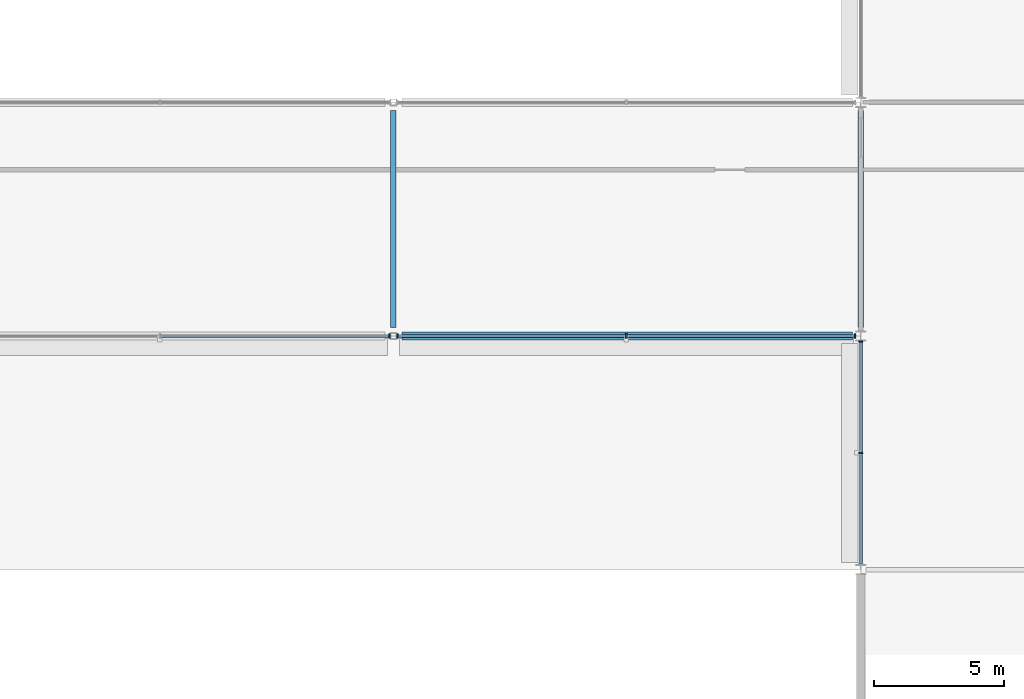
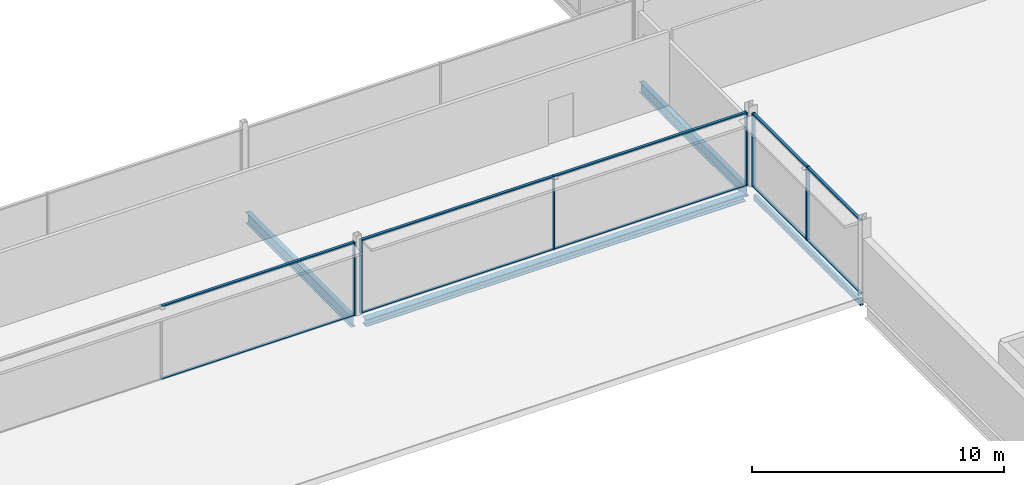
# One storey, part 51 of 105: 16 members, 4 beams, 3 elements without a shape of their own.
"""IFC4 building model written with IfcOpenShell, lengths in metres."""

from ifc_helpers import new_model, si_unit, direction, frame, origin, origin_2d, place, context, subcontext, project, spatial, rectangle, hollow_rectangle, i_section, extrude, material, layer, layer_set, material_profile, profile_set, type_object, element, aggregate, save


model = new_model("IFC4")

# Units and contexts
model_context = context("Model", 3, precision=1e-05, world=origin(), true_north=direction((0.0, 1.0)))
body_context = subcontext(model_context, "Body", "Model", "MODEL_VIEW")
ifc_project = project(units=[si_unit("LENGTHUNIT", "METRE"), si_unit("AREAUNIT", "SQUARE_METRE"), si_unit("VOLUMEUNIT", "CUBIC_METRE"), si_unit("PLANEANGLEUNIT", "RADIAN"), si_unit("MASSUNIT", "GRAM", prefix="KILO")], contexts=[model_context])

# Site, building, storey
site_placement = place(None, origin())
site = spatial("IfcSite", under=ifc_project, at=site_placement, CompositionType="ELEMENT")
building_placement = place(site_placement, origin())
building = spatial("IfcBuilding", under=site, at=building_placement, Name="Kisiwana Market Hall", CompositionType="ELEMENT")
storey_placement = place(building_placement, frame((0.0, 0.0, 21.60009765625)))
storey = spatial("IfcBuildingStorey", under=building, at=storey_placement, Name="L04", CompositionType="ELEMENT", Elevation=21.60009765625)

# Beams
ifc_material_1 = material(Name="Steel S355", Category="steel")
ifc_material_profile_1 = material_profile(ifc_material_1, i_section(OverallWidth=0.209228515625, OverallDepth=0.533203125, WebThickness=0.010009765625, FlangeThickness=0.015625, at=origin_2d()), Name="UB 533x210x92")
ifc_profile_set_1 = profile_set([ifc_material_profile_1], Name="Steel S355")
beam_type_1 = type_object("IfcBeamType", Name="BM-GIRD-UB533", PredefinedType="BEAM", material=ifc_profile_set_1)
for number, where, z_axis, x_axis, name in (
    (1, (135.0, 93.321044921875, -0.53173828125), (0.0, 1.0, 0.0), (-1.0, 0.0, 0.0), "Primary girder B-1368"),
    (2, (153.0, 93.321044921875, -0.53173828125), (0.0, 1.0, 0.0), (-1.0, 0.0, 0.0), "Primary girder B-1370"),
):
    element("IfcBeam", number, at=place(storey_placement, frame(where, z_axis=z_axis, x_axis=x_axis)), inside=storey, type_object=beam_type_1, Name=name, PredefinedType="BEAM", context=body_context, shape_type="SweptSolid", body=[
        extrude(i_section(OverallWidth=0.209228515625, OverallDepth=0.533203125, WebThickness=0.010009765625, FlangeThickness=0.015625, at=origin_2d()), origin(), (0.0, 0.0, 1.0), 8.35791015625),
    ])
ifc_material_2 = material(Name="Steel S355", Category="steel")
ifc_material_profile_2 = material_profile(ifc_material_2, i_section(OverallWidth=0.314453125, OverallDepth=0.33984375, WebThickness=0.01904296875, FlangeThickness=0.031494140625, at=origin_2d()), Name="UC 305x305x198")
ifc_profile_set_2 = profile_set([ifc_material_profile_2], Name="Steel S355")
beam_type_2 = type_object("IfcBeamType", Name="BM-SKYBR-CHORD", PredefinedType="BEAM", material=ifc_profile_set_2)
beam_1_placement = place(storey_placement, frame((135.321044921875, 93.0, -0.462158203125), z_axis=(1.0, 0.0, 0.0), x_axis=(0.0, 1.0, 0.0)))
element("IfcBeam", 3, at=beam_1_placement, inside=storey, type_object=beam_type_2, Name="Floor beam B-1466", PredefinedType="BEAM", context=body_context, shape_type="SweptSolid", body=[
    extrude(i_section(OverallWidth=0.314453125, OverallDepth=0.33984375, WebThickness=0.01904296875, FlangeThickness=0.031494140625, at=origin_2d()), origin(), (0.0, 0.0, 1.0), 17.35791015625),
])
ifc_material_3 = material(Name="Steel S355", Category="steel")
ifc_material_profile_3 = material_profile(ifc_material_3, hollow_rectangle(XDim=0.14990234375, YDim=0.25, WallThickness=0.010009765625, at=origin_2d()), Name="RHS 250x150x10.0")
ifc_profile_set_3 = profile_set([ifc_material_profile_3], Name="Steel S355")
beam_type_3 = type_object("IfcBeamType", Name="BM-SPAN-RHS250", PredefinedType="SPANDREL", material=ifc_profile_set_3)
beam_2_placement = place(storey_placement, frame((153.0, 84.21337890625, -0.4169921875), z_axis=(0.0, 1.0, 0.0), x_axis=(-1.0, 0.0, 0.0)))
element("IfcBeam", 4, at=beam_2_placement, inside=storey, type_object=beam_type_3, Name="Floor beam B-1507", PredefinedType="SPANDREL", context=body_context, shape_type="SweptSolid", body=[
    extrude(hollow_rectangle(XDim=0.14990234375, YDim=0.25, WallThickness=0.010009765625, at=origin_2d()), origin(), (0.0, 0.0, 1.0), 8.465576171875),
])

# Curtain wall, member
ifc_material_4 = material(Name="Double-glazed solar-control low-E IGU", Category="glass")
ifc_layer = layer(ifc_material_4, 0.159912109375)
ifc_layer_set = layer_set([ifc_layer], Name="CW-ZNA-EW-8200")
curtain_wall_type = type_object("IfcCurtainWallType", Name="CW-ZNA-EW-8200", PredefinedType="USERDEFINED", material=ifc_layer_set)
curtain_wall_1_placement = place(storey_placement, origin())
curtain_wall_1 = element("IfcCurtainWall", 5, at=curtain_wall_1_placement, inside=storey, type_object=curtain_wall_type, Name="Unitised curtain wall CW-108 (L04)", ObjectType="UNITISED CURTAIN WALL", PredefinedType="USERDEFINED")
ifc_material_5 = material(Name="Aluminium alloy 6063-T6", Category="aluminium")
ifc_material_profile_4 = material_profile(ifc_material_5, rectangle(XDim=0.06005859375, YDim=0.159912109375, at=origin_2d()), Name="ALU MULLION 60x160")
ifc_profile_set_4 = profile_set([ifc_material_profile_4], Name="Aluminium alloy 6063-T6")
member_type_1 = type_object("IfcMemberType", Name="CW-MULL-60x160", PredefinedType="MULLION", material=ifc_profile_set_4)
member_1_placement = place(storey_placement, frame((134.844970703125, 93.0, 0.0), z_axis=(0.0, 0.0, 1.0), x_axis=(1.0, 0.0, 0.0)))
member_1 = element("IfcMember", 6, at=member_1_placement, type_object=member_type_1, Name="CW-108 mullion 3", PredefinedType="MULLION", context=body_context, shape_type="SweptSolid", body=[
    extrude(rectangle(XDim=0.06005859375, YDim=0.159912109375, at=origin_2d()), origin(), (0.0, 0.0, 1.0), 3.5849609375),
])

# Curtain wall, members
curtain_wall_2_placement = place(storey_placement, origin())
curtain_wall_2 = element("IfcCurtainWall", 7, at=curtain_wall_2_placement, inside=storey, type_object=curtain_wall_type, Name="Unitised curtain wall CW-109 (L04)", ObjectType="UNITISED CURTAIN WALL", PredefinedType="USERDEFINED")
member_2_placement = place(storey_placement, frame((135.155029296875, 93.0, 0.0), z_axis=(0.0, 0.0, 1.0), x_axis=(1.0, 0.0, 0.0)))
member_2 = element("IfcMember", 8, at=member_2_placement, type_object=member_type_1, Name="CW-109 mullion 1", PredefinedType="MULLION", context=body_context, shape_type="SweptSolid", body=[
    extrude(rectangle(XDim=0.06005859375, YDim=0.159912109375, at=origin_2d()), origin(), (0.0, 0.0, 1.0), 3.5849609375),
])
member_3_placement = place(storey_placement, frame((143.96923828125, 93.0, 0.0), z_axis=(0.0, 0.0, 1.0), x_axis=(1.0, 0.0, 0.0)))
member_3 = element("IfcMember", 9, at=member_3_placement, type_object=member_type_1, Name="CW-109 mullion 2", PredefinedType="MULLION", context=body_context, shape_type="SweptSolid", body=[
    extrude(rectangle(XDim=0.06005859375, YDim=0.159912109375, at=origin_2d()), origin(), (0.0, 0.0, 1.0), 3.5849609375),
])
member_4_placement = place(storey_placement, frame((152.78369140625, 93.0, 0.0), z_axis=(0.0, 0.0, 1.0), x_axis=(1.0, 0.0, 0.0)))
member_4 = element("IfcMember", 10, at=member_4_placement, type_object=member_type_1, Name="CW-109 mullion 3", PredefinedType="MULLION", context=body_context, shape_type="SweptSolid", body=[
    extrude(rectangle(XDim=0.06005859375, YDim=0.159912109375, at=origin_2d()), origin(), (0.0, 0.0, 1.0), 3.5849609375),
])

curtain_wall_3_placement = place(storey_placement, origin())
curtain_wall_3 = element("IfcCurtainWall", 11, at=curtain_wall_3_placement, inside=storey, type_object=curtain_wall_type, Name="Unitised curtain wall CW-126 (L04)", ObjectType="UNITISED CURTAIN WALL", PredefinedType="USERDEFINED")
member_5_placement = place(storey_placement, frame((153.0, 88.5, 0.0), z_axis=(0.0, 0.0, 1.0), x_axis=(0.0, 1.0, 0.0)))
member_5 = element("IfcMember", 12, at=member_5_placement, type_object=member_type_1, Name="CW-126 mullion 2", PredefinedType="MULLION", context=body_context, shape_type="SweptSolid", body=[
    extrude(rectangle(XDim=0.06005859375, YDim=0.159912109375, at=origin_2d()), origin(), (0.0, 0.0, 1.0), 3.5849609375),
])
member_6_placement = place(storey_placement, frame((153.0, 92.785888671875, 0.0), z_axis=(0.0, 0.0, 1.0), x_axis=(0.0, 1.0, 0.0)))
member_6 = element("IfcMember", 13, at=member_6_placement, type_object=member_type_1, Name="CW-126 mullion 3", PredefinedType="MULLION", context=body_context, shape_type="SweptSolid", body=[
    extrude(rectangle(XDim=0.06005859375, YDim=0.159912109375, at=origin_2d()), origin(), (0.0, 0.0, 1.0), 3.5849609375),
])

# Member
ifc_material_6 = material(Name="Aluminium alloy 6063-T6", Category="aluminium")
ifc_material_profile_5 = material_profile(ifc_material_6, rectangle(XDim=0.1201171875, YDim=0.06005859375, at=origin_2d()), Name="ALU TRANSOM 60x120")
ifc_profile_set_5 = profile_set([ifc_material_profile_5], Name="Aluminium alloy 6063-T6")
member_type_2 = type_object("IfcMemberType", Name="CW-TRAN-60x120", PredefinedType="USERDEFINED", material=ifc_profile_set_5)
member_7_placement = place(storey_placement, frame((126.030029296875, 93.0, 0.02978515625), z_axis=(1.0, 0.0, 0.0), x_axis=(0.0, 1.0, 0.0)))
member_7 = element("IfcMember", 14, at=member_7_placement, type_object=member_type_2, Name="CW-108 transom 2.1", ObjectType="TRANSOM", PredefinedType="USERDEFINED", context=body_context, shape_type="SweptSolid", body=[
    extrude(rectangle(XDim=0.1201171875, YDim=0.06005859375, at=origin_2d()), origin(), (0.0, 0.0, 1.0), 8.784912109375),
])

member_8_placement = place(storey_placement, frame((126.030029296875, 93.0, 3.554931640625), z_axis=(1.0, 0.0, 0.0), x_axis=(0.0, 1.0, 0.0)))
member_8 = element("IfcMember", 15, at=member_8_placement, type_object=member_type_2, Name="CW-108 transom 2.2", ObjectType="TRANSOM", PredefinedType="USERDEFINED", context=body_context, shape_type="SweptSolid", body=[
    extrude(rectangle(XDim=0.1201171875, YDim=0.06005859375, at=origin_2d()), origin(), (0.0, 0.0, 1.0), 8.784912109375),
])

aggregate(curtain_wall_1, [member_1, member_7, member_8])

member_9_placement = place(storey_placement, frame((135.18505859375, 93.0, 0.02978515625), z_axis=(1.0, 0.0, 0.0), x_axis=(0.0, 1.0, 0.0)))
member_9 = element("IfcMember", 16, at=member_9_placement, type_object=member_type_2, Name="CW-109 transom 1.1", ObjectType="TRANSOM", PredefinedType="USERDEFINED", context=body_context, shape_type="SweptSolid", body=[
    extrude(rectangle(XDim=0.1201171875, YDim=0.06005859375, at=origin_2d()), origin(), (0.0, 0.0, 1.0), 8.75439453125),
])

member_10_placement = place(storey_placement, frame((135.18505859375, 93.0, 3.554931640625), z_axis=(1.0, 0.0, 0.0), x_axis=(0.0, 1.0, 0.0)))
member_10 = element("IfcMember", 17, at=member_10_placement, type_object=member_type_2, Name="CW-109 transom 1.2", ObjectType="TRANSOM", PredefinedType="USERDEFINED", context=body_context, shape_type="SweptSolid", body=[
    extrude(rectangle(XDim=0.1201171875, YDim=0.06005859375, at=origin_2d()), origin(), (0.0, 0.0, 1.0), 8.75439453125),
])

member_11_placement = place(storey_placement, frame((143.999267578125, 93.0, 0.02978515625), z_axis=(1.0, 0.0, 0.0), x_axis=(0.0, 1.0, 0.0)))
member_11 = element("IfcMember", 18, at=member_11_placement, type_object=member_type_2, Name="CW-109 transom 2.1", ObjectType="TRANSOM", PredefinedType="USERDEFINED", context=body_context, shape_type="SweptSolid", body=[
    extrude(rectangle(XDim=0.1201171875, YDim=0.06005859375, at=origin_2d()), origin(), (0.0, 0.0, 1.0), 8.75439453125),
])

member_12_placement = place(storey_placement, frame((143.999267578125, 93.0, 3.554931640625), z_axis=(1.0, 0.0, 0.0), x_axis=(0.0, 1.0, 0.0)))
member_12 = element("IfcMember", 19, at=member_12_placement, type_object=member_type_2, Name="CW-109 transom 2.2", ObjectType="TRANSOM", PredefinedType="USERDEFINED", context=body_context, shape_type="SweptSolid", body=[
    extrude(rectangle(XDim=0.1201171875, YDim=0.06005859375, at=origin_2d()), origin(), (0.0, 0.0, 1.0), 8.75439453125),
])

aggregate(curtain_wall_2, [member_2, member_3, member_4, member_9, member_10, member_11, member_12])

member_13_placement = place(storey_placement, frame((153.0, 84.244140625, 0.02978515625), z_axis=(0.0, 1.0, 0.0), x_axis=(-1.0, 0.0, 0.0)))
member_13 = element("IfcMember", 20, at=member_13_placement, type_object=member_type_2, Name="CW-126 transom 1.1", ObjectType="TRANSOM", PredefinedType="USERDEFINED", context=body_context, shape_type="SweptSolid", body=[
    extrude(rectangle(XDim=0.1201171875, YDim=0.06005859375, at=origin_2d()), origin(), (0.0, 0.0, 1.0), 4.225830078125),
])

member_14_placement = place(storey_placement, frame((153.0, 84.244140625, 3.554931640625), z_axis=(0.0, 1.0, 0.0), x_axis=(-1.0, 0.0, 0.0)))
member_14 = element("IfcMember", 21, at=member_14_placement, type_object=member_type_2, Name="CW-126 transom 1.2", ObjectType="TRANSOM", PredefinedType="USERDEFINED", context=body_context, shape_type="SweptSolid", body=[
    extrude(rectangle(XDim=0.1201171875, YDim=0.06005859375, at=origin_2d()), origin(), (0.0, 0.0, 1.0), 4.225830078125),
])

member_15_placement = place(storey_placement, frame((153.0, 88.530029296875, 0.02978515625), z_axis=(0.0, 1.0, 0.0), x_axis=(-1.0, 0.0, 0.0)))
member_15 = element("IfcMember", 22, at=member_15_placement, type_object=member_type_2, Name="CW-126 transom 2.1", ObjectType="TRANSOM", PredefinedType="USERDEFINED", context=body_context, shape_type="SweptSolid", body=[
    extrude(rectangle(XDim=0.1201171875, YDim=0.06005859375, at=origin_2d()), origin(), (0.0, 0.0, 1.0), 4.225830078125),
])

member_16_placement = place(storey_placement, frame((153.0, 88.530029296875, 3.554931640625), z_axis=(0.0, 1.0, 0.0), x_axis=(-1.0, 0.0, 0.0)))
member_16 = element("IfcMember", 23, at=member_16_placement, type_object=member_type_2, Name="CW-126 transom 2.2", ObjectType="TRANSOM", PredefinedType="USERDEFINED", context=body_context, shape_type="SweptSolid", body=[
    extrude(rectangle(XDim=0.1201171875, YDim=0.06005859375, at=origin_2d()), origin(), (0.0, 0.0, 1.0), 4.225830078125),
])

aggregate(curtain_wall_3, [member_5, member_6, member_13, member_14, member_15, member_16])

save(model, "model.ifc")
